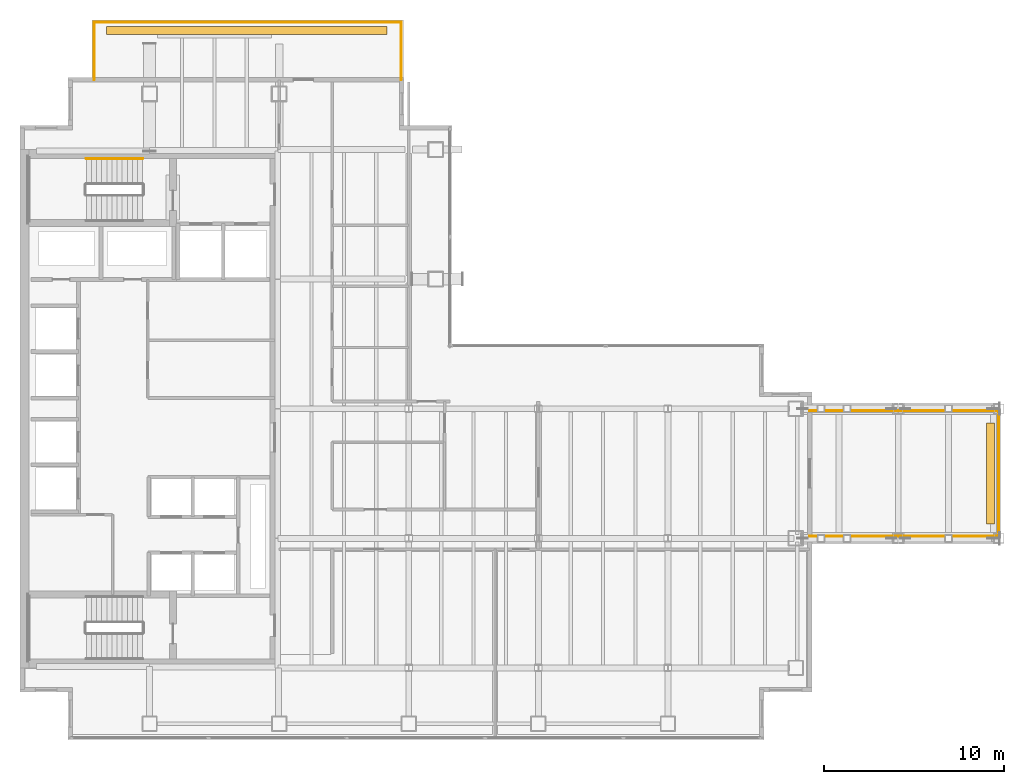
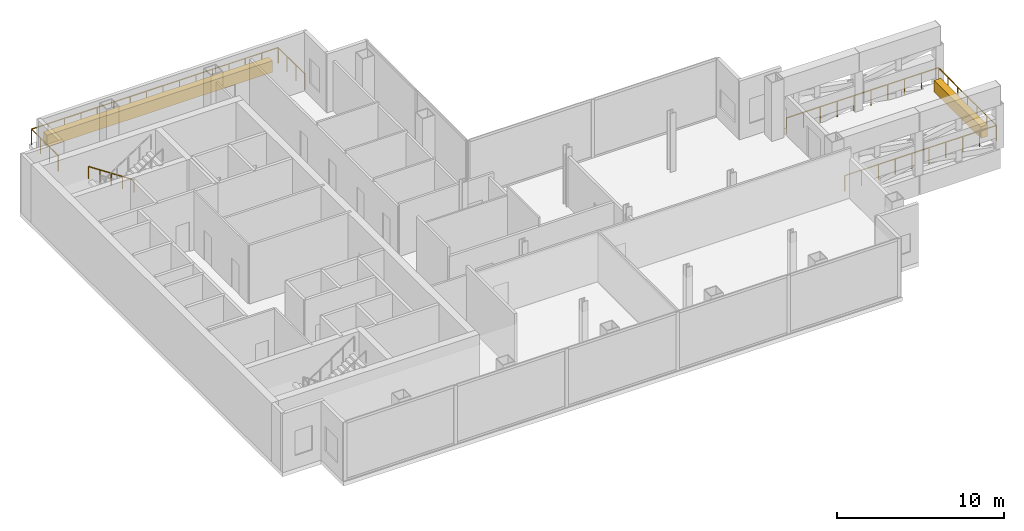
# One storey, part 20 of 20: 7 railings, 2 coverings.
"""IFC4 building model written with IfcOpenShell, lengths in metres."""

from ifc_helpers import new_model, si_unit, direction, frame, origin, origin_2d, place, context, subcontext, project, spatial, polyline, circle, outline, extrude, material, layer, layer_set, type_object, element, save


model = new_model("IFC4")

# Units and contexts
model_context = context("Model", 3, precision=1e-05, world=origin(), true_north=direction((0.0, 1.0)))
body_context = subcontext(model_context, "Body", "Model", "MODEL_VIEW")
ifc_project = project(units=[si_unit("LENGTHUNIT", "METRE"), si_unit("AREAUNIT", "SQUARE_METRE"), si_unit("VOLUMEUNIT", "CUBIC_METRE"), si_unit("PLANEANGLEUNIT", "RADIAN"), si_unit("MASSUNIT", "GRAM", prefix="KILO")], contexts=[model_context])

# Site, building, storey
site_placement = place(None, origin())
site = spatial("IfcSite", under=ifc_project, at=site_placement, CompositionType="ELEMENT")
building_placement = place(site_placement, origin())
building = spatial("IfcBuilding", under=site, at=building_placement, Name="Cobrela Telecom Tower", CompositionType="ELEMENT")
storey_placement = place(building_placement, frame((0.0, 0.0, 168.699951171875)))
storey = spatial("IfcBuildingStorey", under=building, at=storey_placement, Name="L42", CompositionType="ELEMENT", Elevation=168.699951171875)

# Coverings
ifc_material_1 = material(Name="Planted Vegetated Landscape Soil and Foliage System")
ifc_layer = layer(ifc_material_1, 0.85009765625)
ifc_layer_set = layer_set([ifc_layer], Name="Planted Vegetated Landscape Soil and Foliage System")
covering_type = type_object("IfcCoveringType", Name="PLANTER-BED-850", PredefinedType="USERDEFINED", material=ifc_layer_set)
covering_1_placement = place(storey_placement, origin())
element("IfcCovering", 1, at=covering_1_placement, inside=storey, type_object=covering_type, Name="L42 Sky Garden Planted Parapet Bed SG42-N", ObjectType="PLANTER", PredefinedType="USERDEFINED", context=body_context, shape_type="SweptSolid", body=[
    extrude(outline(polyline([(4.800048828125, 42.39990234375), (20.39990234375, 42.39990234375), (20.39990234375, 42.85009765625), (4.800048828125, 42.85009765625), (4.800048828125, 42.39990234375)])), origin(), (0.0, 0.0, 1.0), 0.85009765625),
])
covering_2_placement = place(storey_placement, origin())
element("IfcCovering", 2, at=covering_2_placement, inside=storey, type_object=covering_type, Name="L42 Sky Garden Planted Parapet Bed POOL-E", ObjectType="PLANTER", PredefinedType="USERDEFINED", context=body_context, shape_type="SweptSolid", body=[
    extrude(outline(polyline([(53.699951171875, 15.199951171875), (54.14990234375, 15.199951171875), (54.14990234375, 20.800048828125), (53.699951171875, 20.800048828125), (53.699951171875, 15.199951171875)])), origin(), (0.0, 0.0, 1.0), 0.85009765625),
])

# Railings
ifc_material_2 = material(Name="Anodized Bronze Aluminium 6063-T6", Category="aluminium")
railing_type_1 = type_object("IfcRailingType", Name="RAIL-BAL-1150", PredefinedType="BALUSTRADE", material=ifc_material_2)
railing_1_placement = place(storey_placement, frame((4.1201171875, 39.8798828125, 0.0)))
element("IfcRailing", 3, at=railing_1_placement, inside=storey, type_object=railing_type_1, Name="L42 Outdoor Terrace Perimeter Balustrade Z3-W", PredefinedType="BALUSTRADE", context=body_context, shape_type="SweptSolid", body=[
    extrude(circle(Radius=0.02392578125, at=origin_2d()), frame((0.0, 0.0, 1.1259765625), z_axis=(0.0, 1.0, 0.0), x_axis=(-1.0, 0.0, 0.0)), (0.0, 0.0, 1.0), 3.2001953125),
    extrude(circle(Radius=0.02099609375, at=origin_2d()), origin(), (0.0, 0.0, 1.0), 1.101806640625),
    extrude(circle(Radius=0.02099609375, at=origin_2d()), frame((0.0, 1.066650390625, 0.0)), (0.0, 0.0, 1.0), 1.101806640625),
    extrude(circle(Radius=0.02099609375, at=origin_2d()), frame((0.0, 2.133544921875, 0.0)), (0.0, 0.0, 1.0), 1.101806640625),
    extrude(circle(Radius=0.02099609375, at=origin_2d()), frame((0.0, 3.2001953125, 0.0)), (0.0, 0.0, 1.0), 1.101806640625),
])
railing_2_placement = place(storey_placement, frame((4.1201171875, 43.080078125, 0.0)))
element("IfcRailing", 4, at=railing_2_placement, inside=storey, type_object=railing_type_1, Name="L42 Outdoor Terrace Perimeter Balustrade Z3-N", PredefinedType="BALUSTRADE", context=body_context, shape_type="SweptSolid", body=[
    extrude(circle(Radius=0.02392578125, at=origin_2d()), frame((0.0, 0.0, 1.1259765625), z_axis=(1.0, 0.0, 0.0), x_axis=(0.0, 1.0, 0.0)), (0.0, 0.0, 1.0), 17.059814453125),
    extrude(circle(Radius=0.02099609375, at=origin_2d()), origin(), (0.0, 0.0, 1.0), 1.101806640625),
    extrude(circle(Radius=0.02099609375, at=origin_2d()), frame((1.13720703125, 0.0, 0.0)), (0.0, 0.0, 1.0), 1.101806640625),
    extrude(circle(Radius=0.02099609375, at=origin_2d()), frame((2.274658203125, 0.0, 0.0)), (0.0, 0.0, 1.0), 1.101806640625),
    extrude(circle(Radius=0.02099609375, at=origin_2d()), frame((3.411865234375, 0.0, 0.0)), (0.0, 0.0, 1.0), 1.101806640625),
    extrude(circle(Radius=0.02099609375, at=origin_2d()), frame((4.54931640625, 0.0, 0.0)), (0.0, 0.0, 1.0), 1.101806640625),
    extrude(circle(Radius=0.02099609375, at=origin_2d()), frame((5.6865234375, 0.0, 0.0)), (0.0, 0.0, 1.0), 1.101806640625),
    extrude(circle(Radius=0.02099609375, at=origin_2d()), frame((6.823974609375, 0.0, 0.0)), (0.0, 0.0, 1.0), 1.101806640625),
    extrude(circle(Radius=0.02099609375, at=origin_2d()), frame((7.961181640625, 0.0, 0.0)), (0.0, 0.0, 1.0), 1.101806640625),
    extrude(circle(Radius=0.02099609375, at=origin_2d()), frame((9.0986328125, 0.0, 0.0)), (0.0, 0.0, 1.0), 1.101806640625),
    extrude(circle(Radius=0.02099609375, at=origin_2d()), frame((10.23583984375, 0.0, 0.0)), (0.0, 0.0, 1.0), 1.101806640625),
    extrude(circle(Radius=0.02099609375, at=origin_2d()), frame((11.373291015625, 0.0, 0.0)), (0.0, 0.0, 1.0), 1.101806640625),
    extrude(circle(Radius=0.02099609375, at=origin_2d()), frame((12.510498046875, 0.0, 0.0)), (0.0, 0.0, 1.0), 1.101806640625),
    extrude(circle(Radius=0.02099609375, at=origin_2d()), frame((13.64794921875, 0.0, 0.0)), (0.0, 0.0, 1.0), 1.101806640625),
    extrude(circle(Radius=0.02099609375, at=origin_2d()), frame((14.78515625, 0.0, 0.0)), (0.0, 0.0, 1.0), 1.101806640625),
    extrude(circle(Radius=0.02099609375, at=origin_2d()), frame((15.922607421875, 0.0, 0.0)), (0.0, 0.0, 1.0), 1.101806640625),
    extrude(circle(Radius=0.02099609375, at=origin_2d()), frame((17.059814453125, 0.0, 0.0)), (0.0, 0.0, 1.0), 1.101806640625),
])
railing_3_placement = place(storey_placement, frame((21.179931640625, 43.080078125, 0.0)))
element("IfcRailing", 5, at=railing_3_placement, inside=storey, type_object=railing_type_1, Name="L42 Outdoor Terrace Perimeter Balustrade Z3-E", PredefinedType="BALUSTRADE", context=body_context, shape_type="SweptSolid", body=[
    extrude(circle(Radius=0.02392578125, at=origin_2d()), frame((0.0, 0.0, 1.1259765625), z_axis=(0.0, -1.0, 0.0), x_axis=(1.0, 0.0, 0.0)), (0.0, 0.0, 1.0), 3.2001953125),
    extrude(circle(Radius=0.02099609375, at=origin_2d()), origin(), (0.0, 0.0, 1.0), 1.101806640625),
    extrude(circle(Radius=0.02099609375, at=origin_2d()), frame((0.0, -1.066650390625, 0.0)), (0.0, 0.0, 1.0), 1.101806640625),
    extrude(circle(Radius=0.02099609375, at=origin_2d()), frame((0.0, -2.133544921875, 0.0)), (0.0, 0.0, 1.0), 1.101806640625),
    extrude(circle(Radius=0.02099609375, at=origin_2d()), frame((0.0, -3.2001953125, 0.0)), (0.0, 0.0, 1.0), 1.101806640625),
])
railing_4_placement = place(storey_placement, frame((43.8798828125, 14.52001953125, 0.0)))
element("IfcRailing", 6, at=railing_4_placement, inside=storey, type_object=railing_type_1, Name="L42 Outdoor Terrace Perimeter Balustrade POOL-S", PredefinedType="BALUSTRADE", context=body_context, shape_type="SweptSolid", body=[
    extrude(circle(Radius=0.02392578125, at=origin_2d()), frame((0.0, 0.0, 1.1259765625), z_axis=(1.0, 0.0, 0.0), x_axis=(0.0, 1.0, 0.0)), (0.0, 0.0, 1.0), 10.5),
    extrude(circle(Radius=0.02099609375, at=origin_2d()), origin(), (0.0, 0.0, 1.0), 1.101806640625),
    extrude(circle(Radius=0.02099609375, at=origin_2d()), frame((1.166748046875, 0.0, 0.0)), (0.0, 0.0, 1.0), 1.101806640625),
    extrude(circle(Radius=0.02099609375, at=origin_2d()), frame((2.333251953125, 0.0, 0.0)), (0.0, 0.0, 1.0), 1.101806640625),
    extrude(circle(Radius=0.02099609375, at=origin_2d()), frame((3.5, 0.0, 0.0)), (0.0, 0.0, 1.0), 1.101806640625),
    extrude(circle(Radius=0.02099609375, at=origin_2d()), frame((4.666748046875, 0.0, 0.0)), (0.0, 0.0, 1.0), 1.101806640625),
    extrude(circle(Radius=0.02099609375, at=origin_2d()), frame((5.833251953125, 0.0, 0.0)), (0.0, 0.0, 1.0), 1.101806640625),
    extrude(circle(Radius=0.02099609375, at=origin_2d()), frame((7.0, 0.0, 0.0)), (0.0, 0.0, 1.0), 1.101806640625),
    extrude(circle(Radius=0.02099609375, at=origin_2d()), frame((8.166748046875, 0.0, 0.0)), (0.0, 0.0, 1.0), 1.101806640625),
    extrude(circle(Radius=0.02099609375, at=origin_2d()), frame((9.333251953125, 0.0, 0.0)), (0.0, 0.0, 1.0), 1.101806640625),
    extrude(circle(Radius=0.02099609375, at=origin_2d()), frame((10.5, 0.0, 0.0)), (0.0, 0.0, 1.0), 1.101806640625),
])
railing_5_placement = place(storey_placement, frame((54.3798828125, 14.52001953125, 0.0)))
element("IfcRailing", 7, at=railing_5_placement, inside=storey, type_object=railing_type_1, Name="L42 Outdoor Terrace Perimeter Balustrade POOL-E", PredefinedType="BALUSTRADE", context=body_context, shape_type="SweptSolid", body=[
    extrude(circle(Radius=0.02392578125, at=origin_2d()), frame((0.0, 0.0, 1.1259765625), z_axis=(0.0, 1.0, 0.0), x_axis=(-1.0, 0.0, 0.0)), (0.0, 0.0, 1.0), 6.9599609375),
    extrude(circle(Radius=0.02099609375, at=origin_2d()), origin(), (0.0, 0.0, 1.0), 1.101806640625),
    extrude(circle(Radius=0.02099609375, at=origin_2d()), frame((0.0, 1.159912109375, 0.0)), (0.0, 0.0, 1.0), 1.101806640625),
    extrude(circle(Radius=0.02099609375, at=origin_2d()), frame((0.0, 2.320068359375, 0.0)), (0.0, 0.0, 1.0), 1.101806640625),
    extrude(circle(Radius=0.02099609375, at=origin_2d()), frame((0.0, 3.47998046875, 0.0)), (0.0, 0.0, 1.0), 1.101806640625),
    extrude(circle(Radius=0.02099609375, at=origin_2d()), frame((0.0, 4.639892578125, 0.0)), (0.0, 0.0, 1.0), 1.101806640625),
    extrude(circle(Radius=0.02099609375, at=origin_2d()), frame((0.0, 5.800048828125, 0.0)), (0.0, 0.0, 1.0), 1.101806640625),
    extrude(circle(Radius=0.02099609375, at=origin_2d()), frame((0.0, 6.9599609375, 0.0)), (0.0, 0.0, 1.0), 1.101806640625),
])
railing_6_placement = place(storey_placement, frame((54.3798828125, 21.47998046875, 0.0)))
element("IfcRailing", 8, at=railing_6_placement, inside=storey, type_object=railing_type_1, Name="L42 Outdoor Terrace Perimeter Balustrade POOL-N", PredefinedType="BALUSTRADE", context=body_context, shape_type="SweptSolid", body=[
    extrude(circle(Radius=0.02392578125, at=origin_2d()), frame((0.0, 0.0, 1.1259765625), z_axis=(-1.0, 0.0, 0.0), x_axis=(0.0, -1.0, 0.0)), (0.0, 0.0, 1.0), 10.5),
    extrude(circle(Radius=0.02099609375, at=origin_2d()), origin(), (0.0, 0.0, 1.0), 1.101806640625),
    extrude(circle(Radius=0.02099609375, at=origin_2d()), frame((-1.166748046875, 0.0, 0.0)), (0.0, 0.0, 1.0), 1.101806640625),
    extrude(circle(Radius=0.02099609375, at=origin_2d()), frame((-2.333251953125, 0.0, 0.0)), (0.0, 0.0, 1.0), 1.101806640625),
    extrude(circle(Radius=0.02099609375, at=origin_2d()), frame((-3.5, 0.0, 0.0)), (0.0, 0.0, 1.0), 1.101806640625),
    extrude(circle(Radius=0.02099609375, at=origin_2d()), frame((-4.666748046875, 0.0, 0.0)), (0.0, 0.0, 1.0), 1.101806640625),
    extrude(circle(Radius=0.02099609375, at=origin_2d()), frame((-5.833251953125, 0.0, 0.0)), (0.0, 0.0, 1.0), 1.101806640625),
    extrude(circle(Radius=0.02099609375, at=origin_2d()), frame((-7.0, 0.0, 0.0)), (0.0, 0.0, 1.0), 1.101806640625),
    extrude(circle(Radius=0.02099609375, at=origin_2d()), frame((-8.166748046875, 0.0, 0.0)), (0.0, 0.0, 1.0), 1.101806640625),
    extrude(circle(Radius=0.02099609375, at=origin_2d()), frame((-9.333251953125, 0.0, 0.0)), (0.0, 0.0, 1.0), 1.101806640625),
    extrude(circle(Radius=0.02099609375, at=origin_2d()), frame((-10.5, 0.0, 0.0)), (0.0, 0.0, 1.0), 1.101806640625),
])
ifc_material_3 = material(Name="Steel ASTM A36", Category="steel")
railing_type_2 = type_object("IfcRailingType", Name="RAIL-HAND-920", PredefinedType="HANDRAIL", material=ifc_material_3)
railing_7_placement = place(storey_placement, frame((6.820068359375, 35.5, 0.189697265625)))
element("IfcRailing", 9, at=railing_7_placement, inside=storey, type_object=railing_type_2, Name="L42 ST1 stair handrail 1", PredefinedType="HANDRAIL", context=body_context, shape_type="SweptSolid", body=[
    extrude(circle(Radius=0.02392578125, at=origin_2d()), frame((0.0, 0.0, 0.8759765625), z_axis=(-0.832608492644, 0.0, 0.553861984593), x_axis=(0.0, -1.0, 0.0)), (0.0, 0.0, 1.0), 3.765380859375),
    extrude(circle(Radius=0.02099609375, at=origin_2d()), origin(), (0.0, 0.0, 1.0), 0.851806640625),
    extrude(circle(Radius=0.02099609375, at=origin_2d()), frame((-0.78369140625, 0.0, 0.521484375)), (0.0, 0.0, 1.0), 0.851806640625),
    extrude(circle(Radius=0.02099609375, at=origin_2d()), frame((-1.5673828125, 0.0, 1.042724609375)), (0.0, 0.0, 1.0), 0.851806640625),
    extrude(circle(Radius=0.02099609375, at=origin_2d()), frame((-2.351318359375, 0.0, 1.56396484375)), (0.0, 0.0, 1.0), 0.851806640625),
    extrude(circle(Radius=0.02099609375, at=origin_2d()), frame((-3.135009765625, 0.0, 2.08544921875)), (0.0, 0.0, 1.0), 0.851806640625),
])

save(model, "model.ifc")
